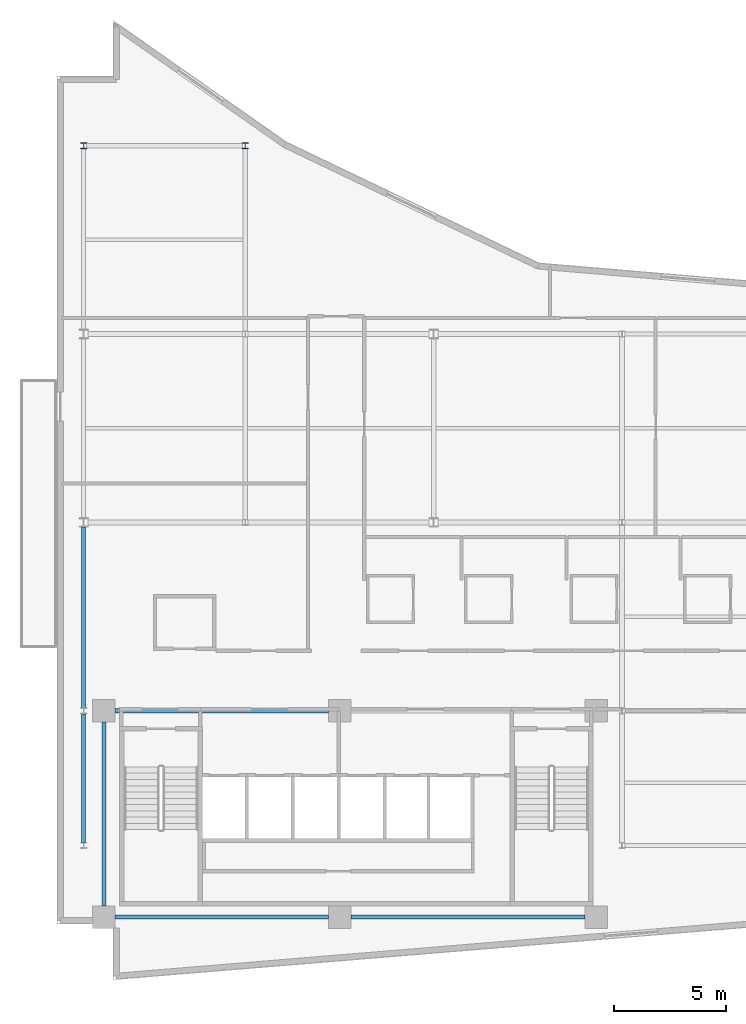
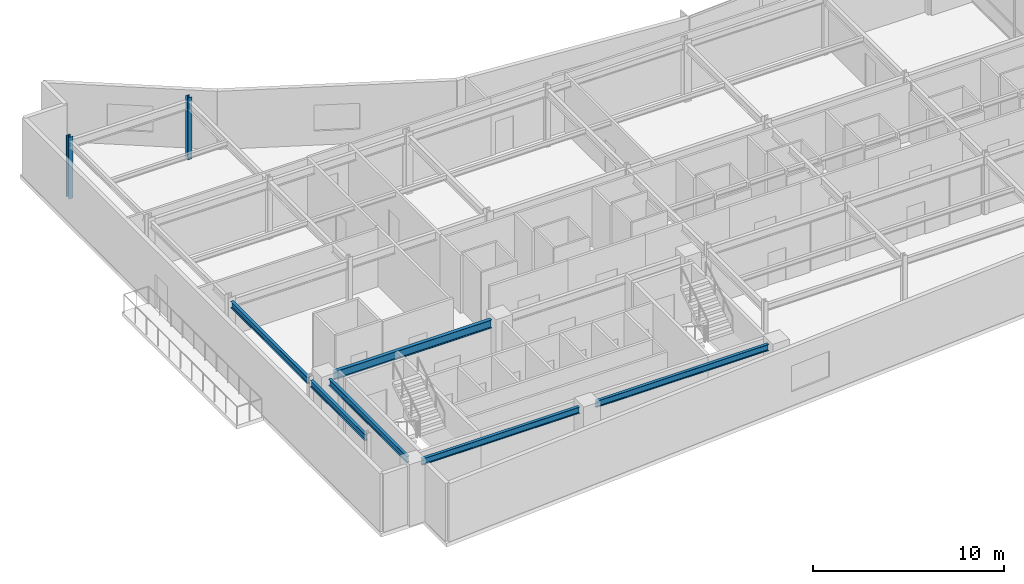
# One storey, part 3 of 17: 6 beams, 2 columns.
"""IFC4 building model written with IfcOpenShell, lengths in metres."""

from ifc_helpers import new_model, si_unit, direction, frame, origin, origin_2d, place, context, subcontext, project, spatial, i_section, extrude, material, material_profile, profile_set, type_object, element, save


model = new_model("IFC4")

# Units and contexts
model_context = context("Model", 3, precision=1e-05, world=origin(), true_north=direction((0.0, 1.0)))
body_context = subcontext(model_context, "Body", "Model", "MODEL_VIEW")
ifc_project = project(units=[si_unit("LENGTHUNIT", "METRE"), si_unit("AREAUNIT", "SQUARE_METRE"), si_unit("VOLUMEUNIT", "CUBIC_METRE"), si_unit("PLANEANGLEUNIT", "RADIAN"), si_unit("MASSUNIT", "GRAM", prefix="KILO")], contexts=[model_context])

# Site, building, storey
site_placement = place(None, origin())
site = spatial("IfcSite", under=ifc_project, at=site_placement, CompositionType="ELEMENT")
building_placement = place(site_placement, origin())
building = spatial("IfcBuilding", under=site, at=building_placement, Name="Varnakote Quay Hospital", CompositionType="ELEMENT")
storey_placement = place(building_placement, frame((0.0, 0.0, 227.64990234375)))
storey = spatial("IfcBuildingStorey", under=building, at=storey_placement, Name="L56", CompositionType="ELEMENT", Elevation=227.64990234375)

# Columns
ifc_material_1 = material(Name="Structural steel AS/NZS 3679.1 Grade 350 L0 (fy 340 MPa)", Category="steel")
ifc_material_profile_1 = material_profile(ifc_material_1, i_section(OverallWidth=0.256103515625, OverallDepth=0.260009765625, WebThickness=0.010498046875, FlangeThickness=0.017333984375, FilletRadius=0.0126953125, at=origin_2d()), Name="250UC89.5")
ifc_profile_set_1 = profile_set([ifc_material_profile_1], Name="Structural steel AS/NZS 3679.1 Grade 350 L0 (fy 340 MPa)")
column_type = type_object("IfcColumnType", Name="COL-STL-250UC89-5", PredefinedType="COLUMN", material=ifc_profile_set_1)
for number, where, z_axis, x_axis, name in (
    (1, (1.199951171875, 37.199951171875, 0.0), (0.0, 0.0, 1.0), (1.0, 0.0, 0.0), "L56 Structural Column C-1-37"),
    (2, (8.39990234375, 37.199951171875, 0.0), (0.0, 0.0, 1.0), (1.0, 0.0, 0.0), "L56 Structural Column C-8-37"),
):
    element("IfcColumn", number, at=place(storey_placement, frame(where, z_axis=z_axis, x_axis=x_axis)), inside=storey, type_object=column_type, Name=name, PredefinedType="COLUMN", context=body_context, shape_type="SweptSolid", body=[
        extrude(i_section(OverallWidth=0.256103515625, OverallDepth=0.260009765625, WebThickness=0.010498046875, FlangeThickness=0.017333984375, FilletRadius=0.0126953125, at=origin_2d()), origin(), (0.0, 0.0, 1.0), 3.9501953125),
    ])

# Beams
ifc_material_2 = material(Name="Structural steel AS/NZS 3679.1 Grade 350 L0 (fy 340 MPa)", Category="steel")
ifc_material_profile_2 = material_profile(ifc_material_2, i_section(OverallWidth=0.208984375, OverallDepth=0.532958984375, WebThickness=0.01025390625, FlangeThickness=0.015625, FilletRadius=0.013916015625, at=origin_2d()), Name="530UB92.4")
ifc_profile_set_2 = profile_set([ifc_material_profile_2], Name="Structural steel AS/NZS 3679.1 Grade 350 L0 (fy 340 MPa)")
beam_type_1 = type_object("IfcBeamType", Name="BM-STL-530UB92-4", PredefinedType="BEAM", material=ifc_profile_set_2)
beam_1_placement = place(storey_placement, frame((2.60009765625, 12.0, 3.443603515625), z_axis=(1.0, 0.0, 0.0), x_axis=(0.0, 1.0, 0.0)))
element("IfcBeam", 3, at=beam_1_placement, inside=storey, type_object=beam_type_1, Name="L56 Primary Floor Beam", PredefinedType="BEAM", context=body_context, shape_type="SweptSolid", body=[
    extrude(i_section(OverallWidth=0.208984375, OverallDepth=0.532958984375, WebThickness=0.01025390625, FlangeThickness=0.015625, FilletRadius=0.013916015625, at=origin_2d()), origin(), (0.0, 0.0, 1.0), 9.52001953125),
])
ifc_material_3 = material(Name="Structural steel AS/NZS 3679.1 Grade 350 L0 (fy 340 MPa)", Category="steel")
ifc_material_profile_3 = material_profile(ifc_material_3, i_section(OverallWidth=0.177978515625, OverallDepth=0.403076171875, WebThickness=0.007568359375, FlangeThickness=0.010986328125, FilletRadius=0.011474609375, at=origin_2d()), Name="410UB53.7")
ifc_profile_set_3 = profile_set([ifc_material_profile_3], Name="Structural steel AS/NZS 3679.1 Grade 350 L0 (fy 340 MPa)")
beam_type_2 = type_object("IfcBeamType", Name="SPN-STL-410UB53-7", PredefinedType="SPANDREL", material=ifc_profile_set_3)
beam_2_placement = place(storey_placement, frame((1.199951171875, 6.1298828125, 3.508544921875), z_axis=(0.0, 1.0, 0.0), x_axis=(-1.0, 0.0, 0.0)))
element("IfcBeam", 4, at=beam_2_placement, inside=storey, type_object=beam_type_2, Name="L56 Perimeter Spandrel Beam", PredefinedType="SPANDREL", context=body_context, shape_type="SweptSolid", body=[
    extrude(i_section(OverallWidth=0.177978515625, OverallDepth=0.403076171875, WebThickness=0.007568359375, FlangeThickness=0.010986328125, FilletRadius=0.011474609375, at=origin_2d()), origin(), (0.0, 0.0, 1.0), 5.740234375),
])
beam_3_placement = place(storey_placement, frame((1.199951171875, 12.1298828125, 3.508544921875), z_axis=(0.0, 1.0, 0.0), x_axis=(-1.0, 0.0, 0.0)))
element("IfcBeam", 5, at=beam_3_placement, inside=storey, type_object=beam_type_2, Name="L56 Perimeter Spandrel Beam", PredefinedType="SPANDREL", context=body_context, shape_type="SweptSolid", body=[
    extrude(i_section(OverallWidth=0.177978515625, OverallDepth=0.403076171875, WebThickness=0.007568359375, FlangeThickness=0.010986328125, FilletRadius=0.011474609375, at=origin_2d()), origin(), (0.0, 0.0, 1.0), 8.068115234375),
])
beam_4_placement = place(storey_placement, frame((2.10009765625, 3.300048828125, 3.508544921875), z_axis=(0.0, 1.0, 0.0), x_axis=(-1.0, 0.0, 0.0)))
element("IfcBeam", 6, at=beam_4_placement, inside=storey, type_object=beam_type_2, Name="L56 Perimeter Spandrel Beam", PredefinedType="SPANDREL", context=body_context, shape_type="SweptSolid", body=[
    extrude(i_section(OverallWidth=0.177978515625, OverallDepth=0.403076171875, WebThickness=0.007568359375, FlangeThickness=0.010986328125, FilletRadius=0.011474609375, at=origin_2d()), origin(), (0.0, 0.0, 1.0), 8.199951171875),
])
ifc_material_4 = material(Name="Structural steel AS/NZS 3679.1 Grade 350 L0 (fy 340 MPa)", Category="steel")
ifc_material_profile_4 = material_profile(ifc_material_4, i_section(OverallWidth=0.177978515625, OverallDepth=0.406005859375, WebThickness=0.0078125, FlangeThickness=0.0126953125, FilletRadius=0.011474609375, at=origin_2d()), Name="410UB59.7")
ifc_profile_set_4 = profile_set([ifc_material_profile_4], Name="Structural steel AS/NZS 3679.1 Grade 350 L0 (fy 340 MPa)")
beam_type_3 = type_object("IfcBeamType", Name="SPN-STL-410UB59-7", PredefinedType="SPANDREL", material=ifc_profile_set_4)
beam_5_placement = place(storey_placement, frame((2.60009765625, 2.800048828125, 3.507080078125), z_axis=(1.0, 0.0, 0.0), x_axis=(0.0, 1.0, 0.0)))
element("IfcBeam", 7, at=beam_5_placement, inside=storey, type_object=beam_type_3, Name="L56 Perimeter Spandrel Beam", PredefinedType="SPANDREL", context=body_context, shape_type="SweptSolid", body=[
    extrude(i_section(OverallWidth=0.177978515625, OverallDepth=0.406005859375, WebThickness=0.0078125, FlangeThickness=0.0126953125, FilletRadius=0.011474609375, at=origin_2d()), origin(), (0.0, 0.0, 1.0), 9.52001953125),
])
beam_6_placement = place(storey_placement, frame((13.1201171875, 2.800048828125, 3.507080078125), z_axis=(1.0, 0.0, 0.0), x_axis=(0.0, 1.0, 0.0)))
element("IfcBeam", 8, at=beam_6_placement, inside=storey, type_object=beam_type_3, Name="L56 Perimeter Spandrel Beam", PredefinedType="SPANDREL", context=body_context, shape_type="SweptSolid", body=[
    extrude(i_section(OverallWidth=0.177978515625, OverallDepth=0.406005859375, WebThickness=0.0078125, FlangeThickness=0.0126953125, FilletRadius=0.011474609375, at=origin_2d()), origin(), (0.0, 0.0, 1.0), 10.429931640625),
])

save(model, "model.ifc")
